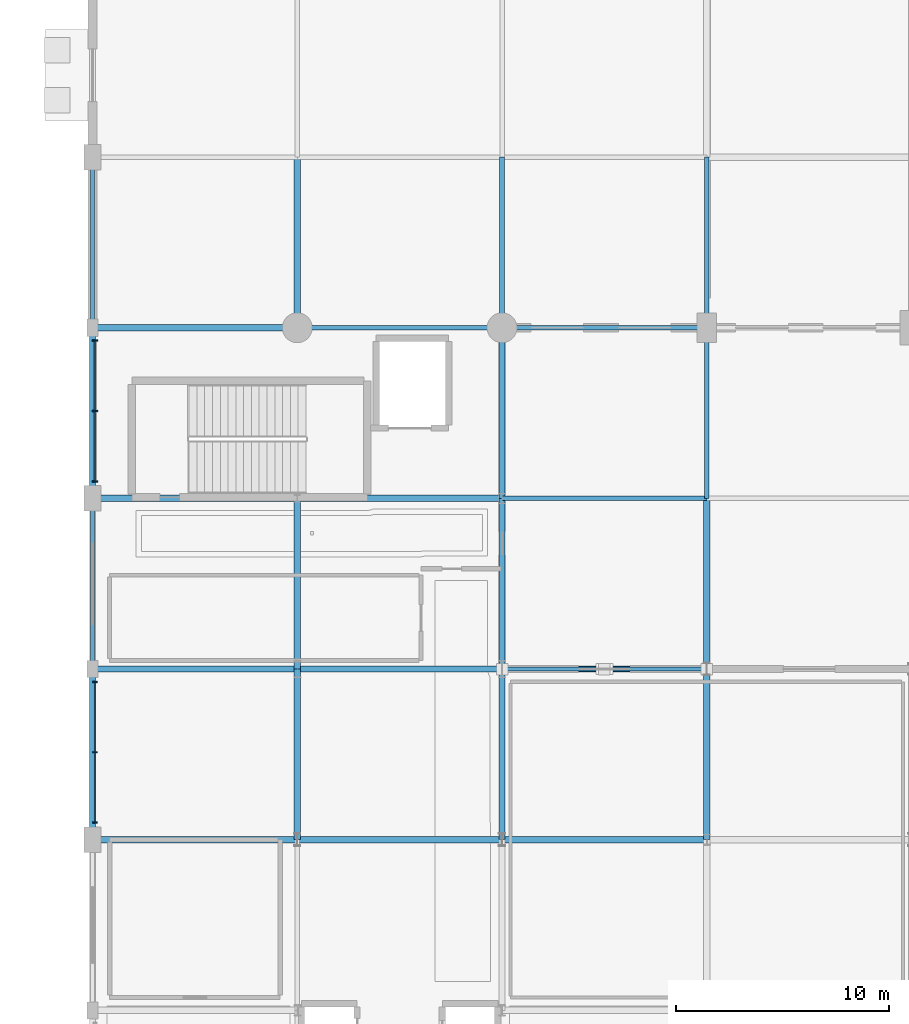
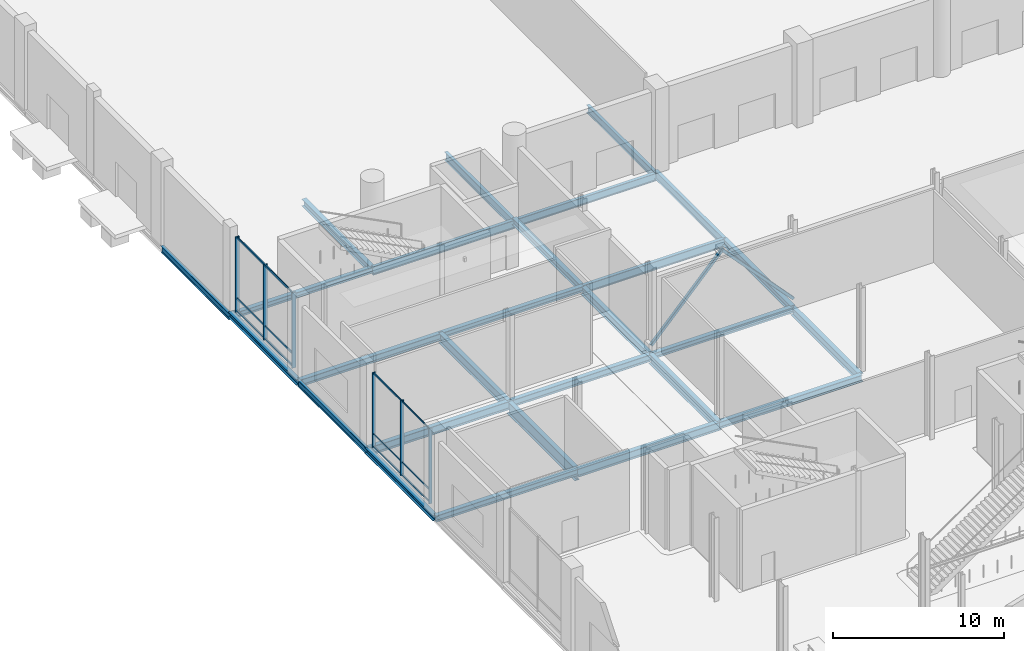
# One storey, part 37 of 124: 27 beams, 14 members, 2 elements without a shape of their own.
"""IFC4 building model written with IfcOpenShell, lengths in metres."""

from ifc_helpers import new_model, si_unit, direction, frame, origin, origin_2d, place, context, subcontext, project, spatial, rectangle, hollow_rectangle, i_section, extrude, material, material_profile, profile_set, type_object, element, aggregate, save


model = new_model("IFC4")

# Units and contexts
model_context = context("Model", 3, precision=1e-05, world=origin(), true_north=direction((0.0, 1.0)))
body_context = subcontext(model_context, "Body", "Model", "MODEL_VIEW")
ifc_project = project(units=[si_unit("LENGTHUNIT", "METRE"), si_unit("AREAUNIT", "SQUARE_METRE"), si_unit("VOLUMEUNIT", "CUBIC_METRE"), si_unit("PLANEANGLEUNIT", "RADIAN"), si_unit("MASSUNIT", "GRAM", prefix="KILO")], contexts=[model_context])

# Site, building, storey
site_placement = place(None, origin())
site = spatial("IfcSite", under=ifc_project, at=site_placement, CompositionType="ELEMENT")
building_placement = place(site_placement, origin())
building = spatial("IfcBuilding", under=site, at=building_placement, Name="Danafjord Basin Convention Centre", CompositionType="ELEMENT")
storey_placement = place(building_placement, origin())
storey = spatial("IfcBuildingStorey", under=building, at=storey_placement, Name="L00", CompositionType="ELEMENT", Elevation=0.0)

# Beams
ifc_material_1 = material(Name="Steel S355", Category="steel")
ifc_material_profile_1 = material_profile(ifc_material_1, i_section(OverallWidth=0.300048828125, OverallDepth=0.389892578125, WebThickness=0.010986328125, FlangeThickness=0.01904296875, FilletRadius=0.027099609375, at=origin_2d()), Name="HEA 400")
ifc_profile_set_1 = profile_set([ifc_material_profile_1], Name="Steel S355")
beam_type_1 = type_object("IfcBeamType", Name="BEAM-BM-HEA400", PredefinedType="BEAM", material=ifc_profile_set_1)
beam_1_placement = place(storey_placement, frame((0.0, 56.0, -0.64501953125), z_axis=(1.0, 0.0, 0.0), x_axis=(0.0, 1.0, 0.0)))
element("IfcBeam", 1, at=beam_1_placement, inside=storey, type_object=beam_type_1, Name="L00 girder BM-HEA400", PredefinedType="BEAM", context=body_context, shape_type="SweptSolid", body=[
    extrude(i_section(OverallWidth=0.300048828125, OverallDepth=0.389892578125, WebThickness=0.010986328125, FlangeThickness=0.01904296875, FilletRadius=0.027099609375, at=origin_2d()), origin(), (0.0, 0.0, 1.0), 9.60009765625),
])
beam_2_placement = place(storey_placement, frame((9.60009765625, 48.0, -0.5048828125), z_axis=(1.0, 0.0, 0.0), x_axis=(0.0, 1.0, 0.0)))
element("IfcBeam", 2, at=beam_2_placement, inside=storey, type_object=beam_type_1, Name="L00 girder BM-HEA400", PredefinedType="BEAM", context=body_context, shape_type="SweptSolid", body=[
    extrude(i_section(OverallWidth=0.300048828125, OverallDepth=0.389892578125, WebThickness=0.010986328125, FlangeThickness=0.01904296875, FilletRadius=0.027099609375, at=origin_2d()), origin(), (0.0, 0.0, 1.0), 9.599853515625),
])
beam_3_placement = place(storey_placement, frame((19.199951171875, 40.0, -0.5048828125), z_axis=(1.0, 0.0, 0.0), x_axis=(0.0, 1.0, 0.0)))
element("IfcBeam", 3, at=beam_3_placement, inside=storey, type_object=beam_type_1, Name="L00 girder BM-HEA400", PredefinedType="BEAM", context=body_context, shape_type="SweptSolid", body=[
    extrude(i_section(OverallWidth=0.300048828125, OverallDepth=0.389892578125, WebThickness=0.010986328125, FlangeThickness=0.01904296875, FilletRadius=0.027099609375, at=origin_2d()), origin(), (0.0, 0.0, 1.0), 9.60009765625),
])
ifc_material_profile_2 = material_profile(ifc_material_1, i_section(OverallWidth=0.300048828125, OverallDepth=0.489990234375, WebThickness=0.011962890625, FlangeThickness=0.02294921875, FilletRadius=0.027099609375, at=origin_2d()), Name="HEA 500")
ifc_profile_set_2 = profile_set([ifc_material_profile_2], Name="Steel S355")
beam_type_2 = type_object("IfcBeamType", Name="BEAM-BM-HEA500", PredefinedType="BEAM", material=ifc_profile_set_2)
beam_4_placement = place(storey_placement, frame((0.0, 48.0, -0.554931640625), z_axis=(1.0, 0.0, 0.0), x_axis=(0.0, 1.0, 0.0)))
element("IfcBeam", 4, at=beam_4_placement, inside=storey, type_object=beam_type_2, Name="L00 girder BM-HEA500", PredefinedType="BEAM", context=body_context, shape_type="SweptSolid", body=[
    extrude(i_section(OverallWidth=0.300048828125, OverallDepth=0.489990234375, WebThickness=0.011962890625, FlangeThickness=0.02294921875, FilletRadius=0.027099609375, at=origin_2d()), origin(), (0.0, 0.0, 1.0), 9.60009765625),
])
beam_5_placement = place(storey_placement, frame((9.60009765625, 40.0, -0.554931640625), z_axis=(1.0, 0.0, 0.0), x_axis=(0.0, 1.0, 0.0)))
element("IfcBeam", 5, at=beam_5_placement, inside=storey, type_object=beam_type_2, Name="L00 girder BM-HEA500", PredefinedType="BEAM", context=body_context, shape_type="SweptSolid", body=[
    extrude(i_section(OverallWidth=0.300048828125, OverallDepth=0.489990234375, WebThickness=0.011962890625, FlangeThickness=0.02294921875, FilletRadius=0.027099609375, at=origin_2d()), origin(), (0.0, 0.0, 1.0), 9.599853515625),
])
beam_6_placement = place(storey_placement, frame((19.199951171875, 32.0, -0.554931640625), z_axis=(1.0, 0.0, 0.0), x_axis=(0.0, 1.0, 0.0)))
element("IfcBeam", 6, at=beam_6_placement, inside=storey, type_object=beam_type_2, Name="L00 girder BM-HEA500", PredefinedType="BEAM", context=body_context, shape_type="SweptSolid", body=[
    extrude(i_section(OverallWidth=0.300048828125, OverallDepth=0.489990234375, WebThickness=0.011962890625, FlangeThickness=0.02294921875, FilletRadius=0.027099609375, at=origin_2d()), origin(), (0.0, 0.0, 1.0), 9.60009765625),
])
ifc_material_profile_3 = material_profile(ifc_material_1, i_section(OverallWidth=0.300048828125, OverallDepth=0.590087890625, WebThickness=0.012939453125, FlangeThickness=0.02490234375, FilletRadius=0.027099609375, at=origin_2d()), Name="HEA 600")
ifc_profile_set_3 = profile_set([ifc_material_profile_3], Name="Steel S355")
beam_type_3 = type_object("IfcBeamType", Name="BEAM-BM-HEA600", PredefinedType="BEAM", material=ifc_profile_set_3)
beam_7_placement = place(storey_placement, frame((0.0, 40.0, -0.60498046875), z_axis=(1.0, 0.0, 0.0), x_axis=(0.0, 1.0, 0.0)))
element("IfcBeam", 7, at=beam_7_placement, inside=storey, type_object=beam_type_3, Name="L00 girder BM-HEA600", PredefinedType="BEAM", context=body_context, shape_type="SweptSolid", body=[
    extrude(i_section(OverallWidth=0.300048828125, OverallDepth=0.590087890625, WebThickness=0.012939453125, FlangeThickness=0.02490234375, FilletRadius=0.027099609375, at=origin_2d()), origin(), (0.0, 0.0, 1.0), 9.60009765625),
])
beam_8_placement = place(storey_placement, frame((9.60009765625, 32.0, -0.60498046875), z_axis=(1.0, 0.0, 0.0), x_axis=(0.0, 1.0, 0.0)))
element("IfcBeam", 8, at=beam_8_placement, inside=storey, type_object=beam_type_3, Name="L00 girder BM-HEA600", PredefinedType="BEAM", context=body_context, shape_type="SweptSolid", body=[
    extrude(i_section(OverallWidth=0.300048828125, OverallDepth=0.590087890625, WebThickness=0.012939453125, FlangeThickness=0.02490234375, FilletRadius=0.027099609375, at=origin_2d()), origin(), (0.0, 0.0, 1.0), 9.599853515625),
])
ifc_material_profile_4 = material_profile(ifc_material_1, i_section(OverallWidth=0.300048828125, OverallDepth=0.449951171875, WebThickness=0.013916015625, FlangeThickness=0.02587890625, FilletRadius=0.027099609375, at=origin_2d()), Name="HEB 450")
ifc_profile_set_4 = profile_set([ifc_material_profile_4], Name="Steel S355")
beam_type_4 = type_object("IfcBeamType", Name="BEAM-BM-HEB450", PredefinedType="BEAM", material=ifc_profile_set_4)
beam_9_placement = place(storey_placement, frame((0.0, 32.0, -0.534912109375), z_axis=(1.0, 0.0, 0.0), x_axis=(0.0, 1.0, 0.0)))
element("IfcBeam", 9, at=beam_9_placement, inside=storey, type_object=beam_type_4, Name="L00 girder BM-HEB450", PredefinedType="BEAM", context=body_context, shape_type="SweptSolid", body=[
    extrude(i_section(OverallWidth=0.300048828125, OverallDepth=0.449951171875, WebThickness=0.013916015625, FlangeThickness=0.02587890625, FilletRadius=0.027099609375, at=origin_2d()), origin(), (0.0, 0.0, 1.0), 9.60009765625),
])
ifc_material_profile_5 = material_profile(ifc_material_1, i_section(OverallWidth=0.300048828125, OverallDepth=0.5, WebThickness=0.014404296875, FlangeThickness=0.028076171875, FilletRadius=0.027099609375, at=origin_2d()), Name="HEB 500")
ifc_profile_set_5 = profile_set([ifc_material_profile_5], Name="Steel S355")
beam_type_5 = type_object("IfcBeamType", Name="BEAM-BM-HEB500", PredefinedType="BEAM", material=ifc_profile_set_5)
for number, where, z_axis, x_axis, name in (
    (10, (9.60009765625, 56.0, -0.699951171875), (0.0, 1.0, 0.0), (-1.0, 0.0, 0.0), "L00 transverse girder BM-HEB500"),
    (11, (19.199951171875, 48.0, -0.56005859375), (0.0, 1.0, 0.0), (-1.0, 0.0, 0.0), "L00 transverse girder BM-HEB500"),
    (12, (28.800048828125, 40.0, -0.530029296875), (0.0, 1.0, 0.0), (-1.0, 0.0, 0.0), "L00 transverse girder BM-HEB500"),
):
    element("IfcBeam", number, at=place(storey_placement, frame(where, z_axis=z_axis, x_axis=x_axis)), inside=storey, type_object=beam_type_5, Name=name, PredefinedType="BEAM", context=body_context, shape_type="SweptSolid", body=[
        extrude(i_section(OverallWidth=0.300048828125, OverallDepth=0.5, WebThickness=0.014404296875, FlangeThickness=0.028076171875, FilletRadius=0.027099609375, at=origin_2d()), origin(), (0.0, 0.0, 1.0), 8.0),
    ])
ifc_material_profile_6 = material_profile(ifc_material_1, i_section(OverallWidth=0.300048828125, OverallDepth=0.60009765625, WebThickness=0.015380859375, FlangeThickness=0.030029296875, FilletRadius=0.027099609375, at=origin_2d()), Name="HEB 600")
ifc_profile_set_6 = profile_set([ifc_material_profile_6], Name="Steel S355")
beam_type_6 = type_object("IfcBeamType", Name="BEAM-BM-HEB600", PredefinedType="BEAM", material=ifc_profile_set_6)
for number, where, z_axis, x_axis, name in (
    (13, (19.199951171875, 40.0, -0.610107421875), (0.0, 1.0, 0.0), (-1.0, 0.0, 0.0), "L00 transverse girder BM-HEB600"),
    (14, (28.800048828125, 32.0, -0.610107421875), (0.0, 1.0, 0.0), (-1.0, 0.0, 0.0), "L00 transverse girder BM-HEB600"),
):
    element("IfcBeam", number, at=place(storey_placement, frame(where, z_axis=z_axis, x_axis=x_axis)), inside=storey, type_object=beam_type_6, Name=name, PredefinedType="BEAM", context=body_context, shape_type="SweptSolid", body=[
        extrude(i_section(OverallWidth=0.300048828125, OverallDepth=0.60009765625, WebThickness=0.015380859375, FlangeThickness=0.030029296875, FilletRadius=0.027099609375, at=origin_2d()), origin(), (0.0, 0.0, 1.0), 8.0),
    ])
ifc_material_profile_7 = material_profile(ifc_material_1, i_section(OverallWidth=0.300048828125, OverallDepth=0.699951171875, WebThickness=0.01708984375, FlangeThickness=0.031982421875, FilletRadius=0.027099609375, at=origin_2d()), Name="HEB 700")
ifc_profile_set_7 = profile_set([ifc_material_profile_7], Name="Steel S355")
beam_type_7 = type_object("IfcBeamType", Name="BEAM-BM-HEB700", PredefinedType="BEAM", material=ifc_profile_set_7)
for number, where, z_axis, x_axis, name in (
    (15, (9.60009765625, 40.0, -0.659912109375), (0.0, 1.0, 0.0), (-1.0, 0.0, 0.0), "L00 transverse girder BM-HEB700"),
    (16, (19.199951171875, 32.0, -0.659912109375), (0.0, 1.0, 0.0), (-1.0, 0.0, 0.0), "L00 transverse girder BM-HEB700"),
):
    element("IfcBeam", number, at=place(storey_placement, frame(where, z_axis=z_axis, x_axis=x_axis)), inside=storey, type_object=beam_type_7, Name=name, PredefinedType="BEAM", context=body_context, shape_type="SweptSolid", body=[
        extrude(i_section(OverallWidth=0.300048828125, OverallDepth=0.699951171875, WebThickness=0.01708984375, FlangeThickness=0.031982421875, FilletRadius=0.027099609375, at=origin_2d()), origin(), (0.0, 0.0, 1.0), 8.0),
    ])
ifc_material_profile_8 = material_profile(ifc_material_1, i_section(OverallWidth=0.300048828125, OverallDepth=0.89990234375, WebThickness=0.0185546875, FlangeThickness=0.034912109375, FilletRadius=0.030029296875, at=origin_2d()), Name="HEB 900")
ifc_profile_set_8 = profile_set([ifc_material_profile_8], Name="Steel S355")
beam_type_8 = type_object("IfcBeamType", Name="BEAM-BM-HEB900", PredefinedType="BEAM", material=ifc_profile_set_8)
beam_10_placement = place(storey_placement, frame((9.60009765625, 32.0, -0.760009765625), z_axis=(0.0, 1.0, 0.0), x_axis=(-1.0, 0.0, 0.0)))
element("IfcBeam", 17, at=beam_10_placement, inside=storey, type_object=beam_type_8, Name="L00 transverse girder BM-HEB900", PredefinedType="BEAM", context=body_context, shape_type="SweptSolid", body=[
    extrude(i_section(OverallWidth=0.300048828125, OverallDepth=0.89990234375, WebThickness=0.0185546875, FlangeThickness=0.034912109375, FilletRadius=0.030029296875, at=origin_2d()), origin(), (0.0, 0.0, 1.0), 8.0),
])
ifc_material_profile_9 = material_profile(ifc_material_1, i_section(OverallWidth=0.2099609375, OverallDepth=0.550048828125, WebThickness=0.010986328125, FlangeThickness=0.01708984375, FilletRadius=0.02392578125, at=origin_2d()), Name="IPE 550")
ifc_profile_set_9 = profile_set([ifc_material_profile_9], Name="Steel S355")
beam_type_9 = type_object("IfcBeamType", Name="BEAM-BM-IPE550", PredefinedType="BEAM", material=ifc_profile_set_9)
beam_11_placement = place(storey_placement, frame((19.199951171875, 56.0, -0.72509765625), z_axis=(1.0, 0.0, 0.0), x_axis=(0.0, 1.0, 0.0)))
element("IfcBeam", 18, at=beam_11_placement, inside=storey, type_object=beam_type_9, Name="L00 girder BM-IPE550", PredefinedType="BEAM", context=body_context, shape_type="SweptSolid", body=[
    extrude(i_section(OverallWidth=0.2099609375, OverallDepth=0.550048828125, WebThickness=0.010986328125, FlangeThickness=0.01708984375, FilletRadius=0.02392578125, at=origin_2d()), origin(), (0.0, 0.0, 1.0), 9.60009765625),
])
beam_12_placement = place(storey_placement, frame((28.800048828125, 56.0, -0.72509765625), z_axis=(0.0, 1.0, 0.0), x_axis=(-1.0, 0.0, 0.0)))
element("IfcBeam", 19, at=beam_12_placement, inside=storey, type_object=beam_type_9, Name="L00 transverse girder BM-IPE550", PredefinedType="BEAM", context=body_context, shape_type="SweptSolid", body=[
    extrude(i_section(OverallWidth=0.2099609375, OverallDepth=0.550048828125, WebThickness=0.010986328125, FlangeThickness=0.01708984375, FilletRadius=0.02392578125, at=origin_2d()), origin(), (0.0, 0.0, 1.0), 8.0),
])
ifc_material_profile_10 = material_profile(ifc_material_1, i_section(OverallWidth=0.219970703125, OverallDepth=0.60009765625, WebThickness=0.011962890625, FlangeThickness=0.01904296875, FilletRadius=0.02392578125, at=origin_2d()), Name="IPE 600")
ifc_profile_set_10 = profile_set([ifc_material_profile_10], Name="Steel S355")
beam_type_10 = type_object("IfcBeamType", Name="BEAM-BM-IPE600", PredefinedType="BEAM", material=ifc_profile_set_10)
beam_13_placement = place(storey_placement, frame((9.60009765625, 56.0, -0.75), z_axis=(1.0, 0.0, 0.0), x_axis=(0.0, 1.0, 0.0)))
element("IfcBeam", 20, at=beam_13_placement, inside=storey, type_object=beam_type_10, Name="L00 girder BM-IPE600", PredefinedType="BEAM", context=body_context, shape_type="SweptSolid", body=[
    extrude(i_section(OverallWidth=0.219970703125, OverallDepth=0.60009765625, WebThickness=0.011962890625, FlangeThickness=0.01904296875, FilletRadius=0.02392578125, at=origin_2d()), origin(), (0.0, 0.0, 1.0), 9.599853515625),
])
beam_14_placement = place(storey_placement, frame((19.199951171875, 48.0, -0.580078125), z_axis=(1.0, 0.0, 0.0), x_axis=(0.0, 1.0, 0.0)))
element("IfcBeam", 21, at=beam_14_placement, inside=storey, type_object=beam_type_10, Name="L00 girder BM-IPE600", PredefinedType="BEAM", context=body_context, shape_type="SweptSolid", body=[
    extrude(i_section(OverallWidth=0.219970703125, OverallDepth=0.60009765625, WebThickness=0.011962890625, FlangeThickness=0.01904296875, FilletRadius=0.02392578125, at=origin_2d()), origin(), (0.0, 0.0, 1.0), 9.60009765625),
])
for number, where, z_axis, x_axis, name in (
    (22, (19.199951171875, 56.0, -0.75), (0.0, 1.0, 0.0), (-1.0, 0.0, 0.0), "L00 transverse girder BM-IPE600"),
    (23, (28.800048828125, 48.0, -0.580078125), (0.0, 1.0, 0.0), (-1.0, 0.0, 0.0), "L00 transverse girder BM-IPE600"),
):
    element("IfcBeam", number, at=place(storey_placement, frame(where, z_axis=z_axis, x_axis=x_axis)), inside=storey, type_object=beam_type_10, Name=name, PredefinedType="BEAM", context=body_context, shape_type="SweptSolid", body=[
        extrude(i_section(OverallWidth=0.219970703125, OverallDepth=0.60009765625, WebThickness=0.011962890625, FlangeThickness=0.01904296875, FilletRadius=0.02392578125, at=origin_2d()), origin(), (0.0, 0.0, 1.0), 8.0),
    ])
ifc_material_profile_11 = material_profile(ifc_material_1, i_section(OverallWidth=0.300048828125, OverallDepth=0.39990234375, WebThickness=0.013427734375, FlangeThickness=0.02392578125, FilletRadius=0.027099609375, at=origin_2d()), Name="HEB 400")
ifc_profile_set_11 = profile_set([ifc_material_profile_11], Name="Steel S355")
beam_type_11 = type_object("IfcBeamType", Name="BEAM-SP-HEB400", PredefinedType="SPANDREL", material=ifc_profile_set_11)
for number, where, z_axis, x_axis, name in (
    (24, (0.0, 32.0, -0.510009765625), (0.0, 1.0, 0.0), (-1.0, 0.0, 0.0), "L00 transverse girder SP-HEB400"),
    (25, (0.0, 48.0, -0.510009765625), (0.0, 1.0, 0.0), (-1.0, 0.0, 0.0), "L00 transverse girder SP-HEB400"),
):
    element("IfcBeam", number, at=place(storey_placement, frame(where, z_axis=z_axis, x_axis=x_axis)), inside=storey, type_object=beam_type_11, Name=name, PredefinedType="SPANDREL", context=body_context, shape_type="SweptSolid", body=[
        extrude(i_section(OverallWidth=0.300048828125, OverallDepth=0.39990234375, WebThickness=0.013427734375, FlangeThickness=0.02392578125, FilletRadius=0.027099609375, at=origin_2d()), origin(), (0.0, 0.0, 1.0), 8.0),
    ])
ifc_material_profile_12 = material_profile(ifc_material_1, i_section(OverallWidth=0.18994140625, OverallDepth=0.449951171875, WebThickness=0.009521484375, FlangeThickness=0.0146484375, FilletRadius=0.02099609375, at=origin_2d()), Name="IPE 450")
ifc_profile_set_12 = profile_set([ifc_material_profile_12], Name="Steel S355")
beam_type_12 = type_object("IfcBeamType", Name="BEAM-SP-IPE450", PredefinedType="SPANDREL", material=ifc_profile_set_12)
for number, where, z_axis, x_axis, name in (
    (26, (0.0, 40.0, -0.534912109375), (0.0, 1.0, 0.0), (-1.0, 0.0, 0.0), "L00 transverse girder SP-IPE450"),
    (27, (0.0, 56.0, -0.675048828125), (0.0, 1.0, 0.0), (-1.0, 0.0, 0.0), "L00 transverse girder SP-IPE450"),
):
    element("IfcBeam", number, at=place(storey_placement, frame(where, z_axis=z_axis, x_axis=x_axis)), inside=storey, type_object=beam_type_12, Name=name, PredefinedType="SPANDREL", context=body_context, shape_type="SweptSolid", body=[
        extrude(i_section(OverallWidth=0.18994140625, OverallDepth=0.449951171875, WebThickness=0.009521484375, FlangeThickness=0.0146484375, FilletRadius=0.02099609375, at=origin_2d()), origin(), (0.0, 0.0, 1.0), 8.0),
    ])

# Members
ifc_material_profile_13 = material_profile(ifc_material_1, hollow_rectangle(XDim=0.199951171875, YDim=0.199951171875, WallThickness=0.010009765625, InnerFilletRadius=0.014892578125, OuterFilletRadius=0.02490234375, at=origin_2d()), Name="SHS 200x200x10.0")
ifc_profile_set_13 = profile_set([ifc_material_profile_13], Name="Steel S355")
member_type_1 = type_object("IfcMemberType", Name="MEM-BRS-200", PredefinedType="BRACE", material=ifc_profile_set_13)
for number, where, z_axis, x_axis, name in (
    (28, (19.199951171875, 40.0, 0.25), (0.681822621397, 0.0, 0.73151754111), (0.0, 1.0, 0.0), "Diagonal brace BRS-200 (L00 braced frame BF-01 diagonal A)"),
    (29, (28.800048828125, 40.0, 0.25), (-0.681822621397, 0.0, 0.73151754111), (0.0, -1.0, 0.0), "Diagonal brace BRS-200 (L00 braced frame BF-01 diagonal B)"),
):
    element("IfcMember", number, at=place(storey_placement, frame(where, z_axis=z_axis, x_axis=x_axis)), inside=storey, type_object=member_type_1, Name=name, PredefinedType="BRACE", context=body_context, shape_type="SweptSolid", body=[
        extrude(hollow_rectangle(XDim=0.199951171875, YDim=0.199951171875, WallThickness=0.010009765625, InnerFilletRadius=0.014892578125, OuterFilletRadius=0.02490234375, at=origin_2d()), origin(), (0.0, 0.0, 1.0), 7.0400390625),
    ])

# Curtain wall, members
ifc_material_2 = material(Name="Anodised aluminium and triple glazing", Category="aluminium")
curtain_wall_type = type_object("IfcCurtainWallType", Name="CW-CW-TERR", PredefinedType="NOTDEFINED", material=ifc_material_2)
curtain_wall_1_placement = place(storey_placement, origin())
curtain_wall_1 = element("IfcCurtainWall", 30, at=curtain_wall_1_placement, inside=storey, type_object=curtain_wall_type, Name="L00 CW-TERR unitised curtain wall bay 42", PredefinedType="NOTDEFINED")
ifc_material_3 = material(Name="Anodised aluminium EN AW-6060", Category="aluminium")
ifc_material_profile_14 = material_profile(ifc_material_3, rectangle(XDim=0.06494140625, YDim=0.219970703125, at=origin_2d()), Name="MULL 65x220")
ifc_profile_set_14 = profile_set([ifc_material_profile_14], Name="Anodised aluminium EN AW-6060")
member_type_2 = type_object("IfcMemberType", Name="MEM-ML-220", PredefinedType="MULLION", material=ifc_profile_set_14)
member_1_placement = place(storey_placement, frame((0.1201171875, 39.39990234375, -0.02490234375), z_axis=(0.0, 0.0, 1.0), x_axis=(0.0, -1.0, 0.0)))
member_1 = element("IfcMember", 31, at=member_1_placement, type_object=member_type_2, Name="CW-L00-042 mullion 1", PredefinedType="MULLION", context=body_context, shape_type="SweptSolid", body=[
    extrude(rectangle(XDim=0.06494140625, YDim=0.219970703125, at=origin_2d()), origin(), (0.0, 0.0, 1.0), 5.385009765625),
])
member_2_placement = place(storey_placement, frame((0.1201171875, 36.10009765625, -0.02490234375), z_axis=(0.0, 0.0, 1.0), x_axis=(0.0, -1.0, 0.0)))
member_2 = element("IfcMember", 32, at=member_2_placement, type_object=member_type_2, Name="CW-L00-042 mullion 2", PredefinedType="MULLION", context=body_context, shape_type="SweptSolid", body=[
    extrude(rectangle(XDim=0.06494140625, YDim=0.219970703125, at=origin_2d()), origin(), (0.0, 0.0, 1.0), 5.385009765625),
])
member_3_placement = place(storey_placement, frame((0.1201171875, 32.800048828125, -0.02490234375), z_axis=(0.0, 0.0, 1.0), x_axis=(0.0, -1.0, 0.0)))
member_3 = element("IfcMember", 33, at=member_3_placement, type_object=member_type_2, Name="CW-L00-042 mullion 3", PredefinedType="MULLION", context=body_context, shape_type="SweptSolid", body=[
    extrude(rectangle(XDim=0.06494140625, YDim=0.219970703125, at=origin_2d()), origin(), (0.0, 0.0, 1.0), 5.385009765625),
])

curtain_wall_2_placement = place(storey_placement, origin())
curtain_wall_2 = element("IfcCurtainWall", 34, at=curtain_wall_2_placement, inside=storey, type_object=curtain_wall_type, Name="L00 CW-TERR unitised curtain wall bay 43", PredefinedType="NOTDEFINED")
ifc_material_profile_15 = material_profile(ifc_material_3, rectangle(XDim=0.070068359375, YDim=0.260009765625, at=origin_2d()), Name="MULL 70x260")
ifc_profile_set_15 = profile_set([ifc_material_profile_15], Name="Anodised aluminium EN AW-6060")
member_type_3 = type_object("IfcMemberType", Name="MEM-ML-260", PredefinedType="MULLION", material=ifc_profile_set_15)
member_4_placement = place(storey_placement, frame((0.1201171875, 55.39990234375, -0.02490234375), z_axis=(0.0, 0.0, 1.0), x_axis=(0.0, -1.0, 0.0)))
member_4 = element("IfcMember", 35, at=member_4_placement, type_object=member_type_3, Name="CW-L00-043 mullion 1", PredefinedType="MULLION", context=body_context, shape_type="SweptSolid", body=[
    extrude(rectangle(XDim=0.070068359375, YDim=0.260009765625, at=origin_2d()), origin(), (0.0, 0.0, 1.0), 5.385009765625),
])
member_5_placement = place(storey_placement, frame((0.1201171875, 52.10009765625, -0.02490234375), z_axis=(0.0, 0.0, 1.0), x_axis=(0.0, -1.0, 0.0)))
member_5 = element("IfcMember", 36, at=member_5_placement, type_object=member_type_3, Name="CW-L00-043 mullion 2", PredefinedType="MULLION", context=body_context, shape_type="SweptSolid", body=[
    extrude(rectangle(XDim=0.070068359375, YDim=0.260009765625, at=origin_2d()), origin(), (0.0, 0.0, 1.0), 5.385009765625),
])
member_6_placement = place(storey_placement, frame((0.1201171875, 48.800048828125, -0.02490234375), z_axis=(0.0, 0.0, 1.0), x_axis=(0.0, -1.0, 0.0)))
member_6 = element("IfcMember", 37, at=member_6_placement, type_object=member_type_3, Name="CW-L00-043 mullion 3", PredefinedType="MULLION", context=body_context, shape_type="SweptSolid", body=[
    extrude(rectangle(XDim=0.070068359375, YDim=0.260009765625, at=origin_2d()), origin(), (0.0, 0.0, 1.0), 5.385009765625),
])

# Member
ifc_material_profile_16 = material_profile(ifc_material_3, rectangle(XDim=0.06005859375, YDim=0.110107421875, at=origin_2d()), Name="TRAN 60x110")
ifc_profile_set_16 = profile_set([ifc_material_profile_16], Name="Anodised aluminium EN AW-6060")
member_type_4 = type_object("IfcMemberType", Name="MEM-TR-110", PredefinedType="USERDEFINED", material=ifc_profile_set_16)
member_7_placement = place(storey_placement, frame((0.1201171875, 39.39990234375, 0.06005859375), z_axis=(0.0, -1.0, 0.0), x_axis=(1.0, 0.0, 0.0)))
member_7 = element("IfcMember", 38, at=member_7_placement, type_object=member_type_4, Name="CW-L00-042 transom 1", ObjectType="TRANSOM", PredefinedType="USERDEFINED", context=body_context, shape_type="SweptSolid", body=[
    extrude(rectangle(XDim=0.06005859375, YDim=0.110107421875, at=origin_2d()), origin(), (0.0, 0.0, 1.0), 6.599853515625),
])

member_8_placement = place(storey_placement, frame((0.1201171875, 39.39990234375, 0.949951171875), z_axis=(0.0, -1.0, 0.0), x_axis=(1.0, 0.0, 0.0)))
member_8 = element("IfcMember", 39, at=member_8_placement, type_object=member_type_4, Name="CW-L00-042 transom 2", ObjectType="TRANSOM", PredefinedType="USERDEFINED", context=body_context, shape_type="SweptSolid", body=[
    extrude(rectangle(XDim=0.06005859375, YDim=0.110107421875, at=origin_2d()), origin(), (0.0, 0.0, 1.0), 6.599853515625),
])

member_9_placement = place(storey_placement, frame((0.1201171875, 39.39990234375, 5.2900390625), z_axis=(0.0, -1.0, 0.0), x_axis=(1.0, 0.0, 0.0)))
member_9 = element("IfcMember", 40, at=member_9_placement, type_object=member_type_4, Name="CW-L00-042 transom 3", ObjectType="TRANSOM", PredefinedType="USERDEFINED", context=body_context, shape_type="SweptSolid", body=[
    extrude(rectangle(XDim=0.06005859375, YDim=0.110107421875, at=origin_2d()), origin(), (0.0, 0.0, 1.0), 6.599853515625),
])

aggregate(curtain_wall_1, [member_1, member_2, member_3, member_7, member_8, member_9])

ifc_material_profile_17 = material_profile(ifc_material_3, rectangle(XDim=0.06005859375, YDim=0.14990234375, at=origin_2d()), Name="TRAN 60x150")
ifc_profile_set_17 = profile_set([ifc_material_profile_17], Name="Anodised aluminium EN AW-6060")
member_type_5 = type_object("IfcMemberType", Name="MEM-TR-150", PredefinedType="USERDEFINED", material=ifc_profile_set_17)
member_10_placement = place(storey_placement, frame((0.1201171875, 55.39990234375, 0.06005859375), z_axis=(0.0, -1.0, 0.0), x_axis=(1.0, 0.0, 0.0)))
member_10 = element("IfcMember", 41, at=member_10_placement, type_object=member_type_5, Name="CW-L00-043 transom 1", ObjectType="TRANSOM", PredefinedType="USERDEFINED", context=body_context, shape_type="SweptSolid", body=[
    extrude(rectangle(XDim=0.06005859375, YDim=0.14990234375, at=origin_2d()), origin(), (0.0, 0.0, 1.0), 6.599853515625),
])

member_11_placement = place(storey_placement, frame((0.1201171875, 55.39990234375, 0.949951171875), z_axis=(0.0, -1.0, 0.0), x_axis=(1.0, 0.0, 0.0)))
member_11 = element("IfcMember", 42, at=member_11_placement, type_object=member_type_5, Name="CW-L00-043 transom 2", ObjectType="TRANSOM", PredefinedType="USERDEFINED", context=body_context, shape_type="SweptSolid", body=[
    extrude(rectangle(XDim=0.06005859375, YDim=0.14990234375, at=origin_2d()), origin(), (0.0, 0.0, 1.0), 6.599853515625),
])

member_12_placement = place(storey_placement, frame((0.1201171875, 55.39990234375, 5.2900390625), z_axis=(0.0, -1.0, 0.0), x_axis=(1.0, 0.0, 0.0)))
member_12 = element("IfcMember", 43, at=member_12_placement, type_object=member_type_5, Name="CW-L00-043 transom 3", ObjectType="TRANSOM", PredefinedType="USERDEFINED", context=body_context, shape_type="SweptSolid", body=[
    extrude(rectangle(XDim=0.06005859375, YDim=0.14990234375, at=origin_2d()), origin(), (0.0, 0.0, 1.0), 6.599853515625),
])

aggregate(curtain_wall_2, [member_4, member_5, member_6, member_10, member_11, member_12])

save(model, "model.ifc")
